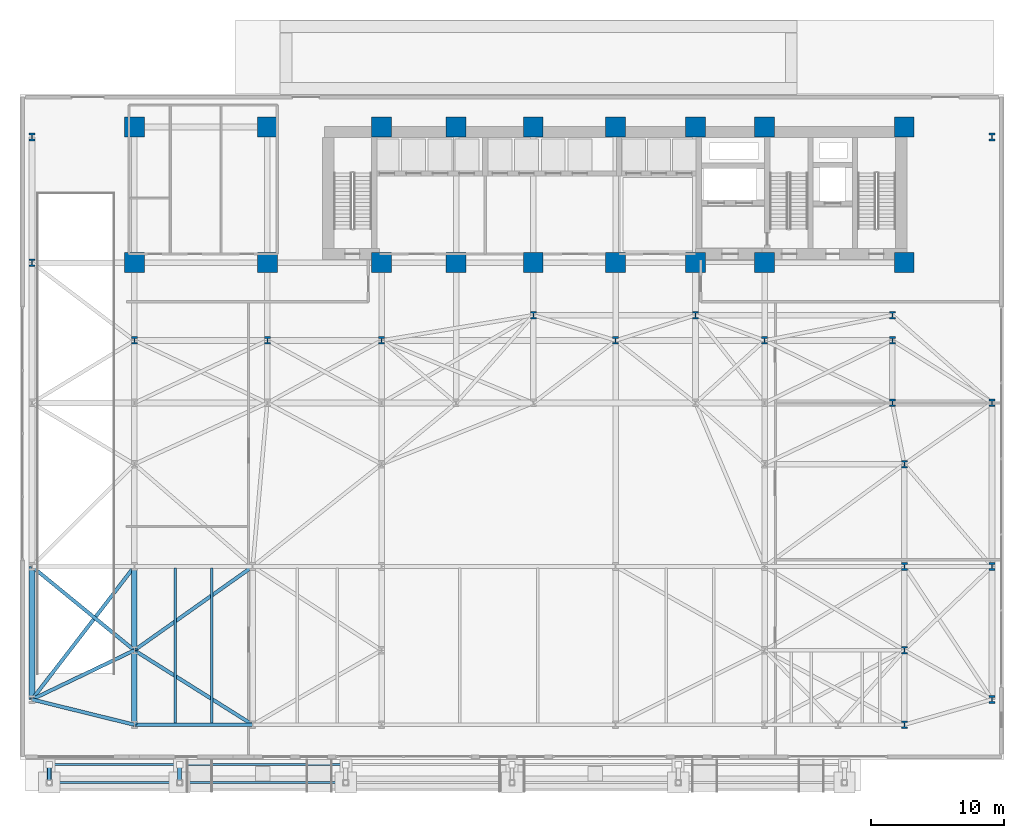
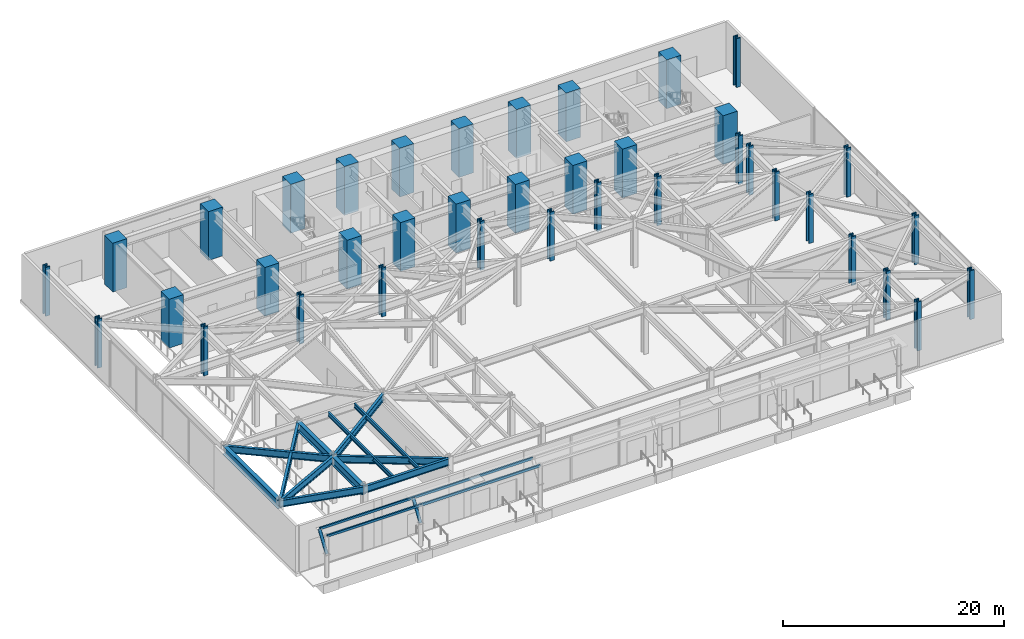
# One storey, part 4 of 31: 38 columns, 12 beams, 6 members.
"""IFC4 building model written with IfcOpenShell, lengths in metres."""

from ifc_helpers import new_model, si_unit, direction, frame, origin, origin_2d, place, context, subcontext, project, spatial, rectangle, hollow_rectangle, hollow_circle, i_section, extrude, material, material_profile, profile_set, type_object, element, save


model = new_model("IFC4")

# Units and contexts
model_context = context("Model", 3, precision=1e-05, world=origin(), true_north=direction((0.0, 1.0)))
body_context = subcontext(model_context, "Body", "Model", "MODEL_VIEW")
ifc_project = project(units=[si_unit("LENGTHUNIT", "METRE"), si_unit("AREAUNIT", "SQUARE_METRE"), si_unit("VOLUMEUNIT", "CUBIC_METRE"), si_unit("PLANEANGLEUNIT", "RADIAN"), si_unit("MASSUNIT", "GRAM", prefix="KILO")], contexts=[model_context])

# Site, building, storey
site_placement = place(None, origin())
site = spatial("IfcSite", under=ifc_project, at=site_placement, CompositionType="ELEMENT")
building_placement = place(site_placement, origin())
building = spatial("IfcBuilding", under=site, at=building_placement, Name="Kravanh Interchange Tower", CompositionType="ELEMENT")
storey_placement = place(building_placement, origin())
storey = spatial("IfcBuildingStorey", under=building, at=storey_placement, Name="L00", CompositionType="ELEMENT", Elevation=0.0)

# Columns
ifc_material_1 = material(Name="Concrete C80/95", Category="concrete")
ifc_material_profile_1 = material_profile(ifc_material_1, rectangle(XDim=1.5, YDim=1.5, at=origin_2d()), Name="RC1500X1500")
ifc_profile_set_1 = profile_set([ifc_material_profile_1], Name="Concrete C80/95")
column_type_1 = type_object("IfcColumnType", Name="Column RC1500X1500 Concrete C80/95", PredefinedType="COLUMN", material=ifc_profile_set_1)
for number, where, z_axis, x_axis, name in (
    (1, (66.5, 47.550048828125, 0.0), (0.0, 0.0, 1.0), (1.0, 0.0, 0.0), "L00 Column CS01"),
    (2, (56.0, 47.550048828125, 0.0), (0.0, 0.0, 1.0), (1.0, 0.0, 0.0), "L00 Column CS02"),
    (3, (66.5, 37.35009765625, 0.0), (0.0, 0.0, 1.0), (1.0, 0.0, 0.0), "L00 Column CS03"),
    (4, (56.0, 37.35009765625, 0.0), (0.0, 0.0, 1.0), (1.0, 0.0, 0.0), "L00 Column CS04"),
    (5, (50.800048828125, 47.550048828125, 0.0), (0.0, 0.0, 1.0), (1.0, 0.0, 0.0), "L00 Column CS05"),
    (6, (50.800048828125, 37.35009765625, 0.0), (0.0, 0.0, 1.0), (1.0, 0.0, 0.0), "L00 Column CS06"),
    (7, (44.800048828125, 37.35009765625, 0.0), (0.0, 0.0, 1.0), (1.0, 0.0, 0.0), "L00 Column CS07"),
    (8, (44.800048828125, 47.550048828125, 0.0), (0.0, 0.0, 1.0), (1.0, 0.0, 0.0), "L00 Column CS08"),
    (9, (38.60009765625, 37.35009765625, 0.0), (0.0, 0.0, 1.0), (1.0, 0.0, 0.0), "L00 Column CS09"),
    (10, (38.60009765625, 47.550048828125, 0.0), (0.0, 0.0, 1.0), (1.0, 0.0, 0.0), "L00 Column CS10"),
    (11, (32.800048828125, 37.35009765625, 0.0), (0.0, 0.0, 1.0), (1.0, 0.0, 0.0), "L00 Column CS11"),
    (12, (32.800048828125, 47.550048828125, 0.0), (0.0, 0.0, 1.0), (1.0, 0.0, 0.0), "L00 Column CS12"),
    (13, (27.199951171875, 37.35009765625, 0.0), (0.0, 0.0, 1.0), (1.0, 0.0, 0.0), "L00 Column CS13"),
    (14, (27.199951171875, 47.550048828125, 0.0), (0.0, 0.0, 1.0), (1.0, 0.0, 0.0), "L00 Column CS14"),
    (15, (18.60009765625, 37.35009765625, 0.0), (0.0, 0.0, 1.0), (1.0, 0.0, 0.0), "L00 Column CS17"),
    (16, (18.60009765625, 47.550048828125, 0.0), (0.0, 0.0, 1.0), (1.0, 0.0, 0.0), "L00 Column CS18"),
    (17, (8.60009765625, 37.35009765625, 0.0), (0.0, 0.0, 1.0), (1.0, 0.0, 0.0), "L00 Column CS23"),
    (18, (8.60009765625, 47.550048828125, 0.0), (0.0, 0.0, 1.0), (1.0, 0.0, 0.0), "L00 Column CS24"),
):
    element("IfcColumn", number, at=place(storey_placement, frame(where, z_axis=z_axis, x_axis=x_axis)), inside=storey, type_object=column_type_1, Name=name, PredefinedType="COLUMN", context=body_context, shape_type="SweptSolid", body=[
        extrude(rectangle(XDim=1.5, YDim=1.5, at=origin_2d()), origin(), (0.0, 0.0, 1.0), 5.39990234375),
    ])
ifc_material_2 = material(Name="Structural Steel S450", Category="steel")
ifc_material_profile_2 = material_profile(ifc_material_2, i_section(OverallWidth=0.4541015625, OverallDepth=0.569091796875, WebThickness=0.077880859375, FlangeThickness=0.124755859375, FilletRadius=0.030029296875, at=origin_2d()), Name="W14X730")
ifc_profile_set_2 = profile_set([ifc_material_profile_2], Name="Structural Steel S450")
column_type_2 = type_object("IfcColumnType", Name="Column W14X730 Structural Steel S450", PredefinedType="COLUMN", material=ifc_profile_set_2)
for number, where, z_axis, x_axis, name in (
    (19, (66.5, 2.60009765625, 0.0), (0.0, 0.0, 1.0), (1.0, 0.0, 0.0), "L00 Column CP06"),
    (20, (66.5, 8.199951171875, 0.0), (0.0, 0.0, 1.0), (1.0, 0.0, 0.0), "L00 Column CP06E"),
    (21, (66.5, 14.5, 0.0), (0.0, 0.0, 1.0), (1.0, 0.0, 0.0), "L00 Column CP12"),
    (22, (66.5, 22.199951171875, 0.0), (0.0, 0.0, 1.0), (1.0, 0.0, 0.0), "L00 Column CP12E"),
    (23, (65.60009765625, 26.800048828125, 0.0), (0.0, 0.0, 1.0), (1.0, 0.0, 0.0), "L00 Column CP19"),
    (24, (8.60009765625, 31.5, 0.0), (0.0, 0.0, 1.0), (1.0, 0.0, 0.0), "L00 Column CP19B"),
    (25, (18.60009765625, 31.5, 0.0), (0.0, 0.0, 1.0), (1.0, 0.0, 0.0), "L00 Column CP20"),
    (26, (27.199951171875, 31.5, 0.0), (0.0, 0.0, 1.0), (1.0, 0.0, 0.0), "L00 Column CP21"),
    (27, (44.800048828125, 31.5, 0.0), (0.0, 0.0, 1.0), (1.0, 0.0, 0.0), "L00 Column CP22"),
    (28, (56.0, 31.5, 0.0), (0.0, 0.0, 1.0), (1.0, 0.0, 0.0), "L00 Column CP23"),
    (29, (65.60009765625, 31.5, 0.0), (0.0, 0.0, 1.0), (1.0, 0.0, 0.0), "L00 Column CP24"),
    (30, (0.89990234375, 37.35009765625, 0.0), (0.0, 0.0, 1.0), (1.0, 0.0, 0.0), "L00 Column CP25D"),
    (31, (0.89990234375, 46.800048828125, 0.0), (0.0, 0.0, 1.0), (1.0, 0.0, 0.0), "L00 Column CP26"),
    (32, (73.10009765625, 4.5, 0.0), (0.0, 0.0, 1.0), (1.0, 0.0, 0.0), "L00 Column CP27"),
    (33, (73.10009765625, 14.5, 0.0), (0.0, 0.0, 1.0), (1.0, 0.0, 0.0), "L00 Column CP27B"),
    (34, (73.10009765625, 26.800048828125, 0.0), (0.0, 0.0, 1.0), (1.0, 0.0, 0.0), "L00 Column CP27C"),
    (35, (73.10009765625, 46.800048828125, 0.0), (0.0, 0.0, 1.0), (1.0, 0.0, 0.0), "L00 Column CP28"),
    (36, (38.60009765625, 33.39990234375, 0.0), (0.0, 0.0, 1.0), (1.0, 0.0, 0.0), "L00 Column CP_M1"),
    (37, (50.800048828125, 33.39990234375, 0.0), (0.0, 0.0, 1.0), (1.0, 0.0, 0.0), "L00 Column CP_M2"),
    (38, (65.60009765625, 33.39990234375, 0.0), (0.0, 0.0, 1.0), (1.0, 0.0, 0.0), "L00 Column CP_M3"),
):
    element("IfcColumn", number, at=place(storey_placement, frame(where, z_axis=z_axis, x_axis=x_axis)), inside=storey, type_object=column_type_2, Name=name, PredefinedType="COLUMN", context=body_context, shape_type="SweptSolid", body=[
        extrude(i_section(OverallWidth=0.4541015625, OverallDepth=0.569091796875, WebThickness=0.077880859375, FlangeThickness=0.124755859375, FilletRadius=0.030029296875, at=origin_2d()), origin(), (0.0, 0.0, 1.0), 5.39990234375),
    ])

# Members
ifc_material_3 = material(Name="Structural Steel S355", Category="steel")
ifc_material_profile_3 = material_profile(ifc_material_3, hollow_circle(Radius=0.162109375, WallThickness=0.011962890625, at=origin_2d()), Name="CHS324X12")
ifc_profile_set_3 = profile_set([ifc_material_profile_3], Name="Structural Steel S355")
member_type_1 = type_object("IfcMemberType", Name="Canopy Raking Strut CHS324X12 Structural Steel S355", PredefinedType="STRUT", material=ifc_profile_set_3)
for number, where, z_axis, x_axis, name in (
    (39, (2.199951171875, -1.75, 2.5), (0.0, 0.564318032466, 0.8255574833), (-1.0, 0.0, 0.0), "Transit Canopy Raking Strut 1"),
    (40, (12.0, -1.75, 2.5), (0.0, 0.564318032466, 0.8255574833), (-1.0, 0.0, 0.0), "Transit Canopy Raking Strut 2"),
):
    element("IfcMember", number, at=place(storey_placement, frame(where, z_axis=z_axis, x_axis=x_axis)), inside=storey, type_object=member_type_1, Name=name, PredefinedType="STRUT", context=body_context, shape_type="SweptSolid", body=[
        extrude(hollow_circle(Radius=0.162109375, WallThickness=0.011962890625, at=origin_2d()), origin(), (0.0, 0.0, 1.0), 2.392333984375),
    ])
ifc_material_4 = material(Name="Structural Steel S355", Category="steel")
ifc_material_profile_4 = material_profile(ifc_material_4, hollow_rectangle(XDim=0.14990234375, YDim=0.25, WallThickness=0.010009765625, at=origin_2d()), Name="HSS250X150X10")
ifc_profile_set_4 = profile_set([ifc_material_profile_4], Name="Structural Steel S355")
member_type_2 = type_object("IfcMemberType", Name="Canopy Roof Purlin HSS250X150X10 Structural Steel S355", PredefinedType="PURLIN", material=ifc_profile_set_4)
for number, where, z_axis, x_axis, name in (
    (41, (2.199951171875, -0.39990234375, 4.47509765625), (1.0, 0.0, 0.0), (0.0, 1.0, 0.0), "Transit Canopy Purlin 1A"),
    (42, (2.199951171875, -1.75, 4.47509765625), (1.0, 0.0, 0.0), (0.0, 1.0, 0.0), "Transit Canopy Purlin 1B"),
):
    element("IfcMember", number, at=place(storey_placement, frame(where, z_axis=z_axis, x_axis=x_axis)), inside=storey, type_object=member_type_2, Name=name, PredefinedType="PURLIN", context=body_context, shape_type="SweptSolid", body=[
        extrude(hollow_rectangle(XDim=0.14990234375, YDim=0.25, WallThickness=0.010009765625, at=origin_2d()), origin(), (0.0, 0.0, 1.0), 9.800048828125),
    ])
for number, where, z_axis, x_axis, name in (
    (43, (12.0, -0.39990234375, 4.47509765625), (1.0, 0.0, 0.0), (0.0, 1.0, 0.0), "Transit Canopy Purlin 2A"),
    (44, (12.0, -1.75, 4.47509765625), (1.0, 0.0, 0.0), (0.0, 1.0, 0.0), "Transit Canopy Purlin 2B"),
):
    element("IfcMember", number, at=place(storey_placement, frame(where, z_axis=z_axis, x_axis=x_axis)), inside=storey, type_object=member_type_2, Name=name, PredefinedType="PURLIN", context=body_context, shape_type="SweptSolid", body=[
        extrude(hollow_rectangle(XDim=0.14990234375, YDim=0.25, WallThickness=0.010009765625, at=origin_2d()), origin(), (0.0, 0.0, 1.0), 12.5),
    ])

# Beams
ifc_material_5 = material(Name="Structural Steel S450", Category="steel")
ifc_material_profile_5 = material_profile(ifc_material_5, i_section(OverallWidth=0.423095703125, OverallDepth=0.947998046875, WebThickness=0.02392578125, FlangeThickness=0.042724609375, FilletRadius=0.028076171875, at=origin_2d()), Name="W36X302")
ifc_profile_set_5 = profile_set([ifc_material_profile_5], Name="Structural Steel S450")
beam_type_1 = type_object("IfcBeamType", Name="Floor Beam W36X302 Structural Steel S450", PredefinedType="BEAM", material=ifc_profile_set_5)
beam_1_placement = place(storey_placement, frame((8.60009765625, 2.60009765625, 4.656005859375), z_axis=(0.0, 1.0, 0.0), x_axis=(-1.0, 0.0, 0.0)))
element("IfcBeam", 45, at=beam_1_placement, inside=storey, type_object=beam_type_1, Name="L00 Primary Floor Girder 1", PredefinedType="BEAM", context=body_context, shape_type="SweptSolid", body=[
    extrude(i_section(OverallWidth=0.423095703125, OverallDepth=0.947998046875, WebThickness=0.02392578125, FlangeThickness=0.042724609375, FilletRadius=0.028076171875, at=origin_2d()), origin(), (0.0, 0.0, 1.0), 5.599853515625),
])
beam_2_placement = place(storey_placement, frame((8.60009765625, 8.199951171875, 4.656005859375), z_axis=(0.0, 1.0, 0.0), x_axis=(-1.0, 0.0, 0.0)))
element("IfcBeam", 46, at=beam_2_placement, inside=storey, type_object=beam_type_1, Name="L00 Primary Floor Girder 23", PredefinedType="BEAM", context=body_context, shape_type="SweptSolid", body=[
    extrude(i_section(OverallWidth=0.423095703125, OverallDepth=0.947998046875, WebThickness=0.02392578125, FlangeThickness=0.042724609375, FilletRadius=0.028076171875, at=origin_2d()), origin(), (0.0, 0.0, 1.0), 6.300048828125),
])
beam_3_placement = place(storey_placement, frame((0.89990234375, 4.5, 4.656005859375), z_axis=(0.0, 1.0, 0.0), x_axis=(-1.0, 0.0, 0.0)))
element("IfcBeam", 47, at=beam_3_placement, inside=storey, type_object=beam_type_1, Name="L00 Primary Floor Girder 122", PredefinedType="BEAM", context=body_context, shape_type="SweptSolid", body=[
    extrude(i_section(OverallWidth=0.423095703125, OverallDepth=0.947998046875, WebThickness=0.02392578125, FlangeThickness=0.042724609375, FilletRadius=0.028076171875, at=origin_2d()), origin(), (0.0, 0.0, 1.0), 10.0),
])
ifc_material_6 = material(Name="Structural Steel S355", Category="steel")
ifc_material_profile_6 = material_profile(ifc_material_6, i_section(OverallWidth=0.18994140625, OverallDepth=0.45703125, WebThickness=0.009033203125, FlangeThickness=0.014404296875, FilletRadius=0.01806640625, at=origin_2d()), Name="W18X50")
ifc_profile_set_6 = profile_set([ifc_material_profile_6], Name="Structural Steel S355")
beam_type_2 = type_object("IfcBeamType", Name="Floor Joist W18X50 Structural Steel S355", PredefinedType="JOIST", material=ifc_profile_set_6)
for number, where, z_axis, x_axis, name in (
    (48, (11.681884765625, 2.728515625, 4.901611328125), (0.0, 1.0, 0.0), (-1.0, 0.0, 0.0), "L00 Secondary Floor Joist 1"),
    (49, (14.41796875, 2.728515625, 4.901611328125), (0.0, 1.0, 0.0), (-1.0, 0.0, 0.0), "L00 Secondary Floor Joist 2"),
):
    element("IfcBeam", number, at=place(storey_placement, frame(where, z_axis=z_axis, x_axis=x_axis)), inside=storey, type_object=beam_type_2, Name=name, PredefinedType="JOIST", context=body_context, shape_type="SweptSolid", body=[
        extrude(i_section(OverallWidth=0.18994140625, OverallDepth=0.45703125, WebThickness=0.009033203125, FlangeThickness=0.014404296875, FilletRadius=0.01806640625, at=origin_2d()), origin(), (0.0, 0.0, 1.0), 11.64306640625),
    ])
ifc_material_7 = material(Name="Structural Steel S355", Category="steel")
ifc_material_profile_7 = material_profile(ifc_material_7, i_section(OverallWidth=0.26708984375, OverallDepth=0.761962890625, WebThickness=0.014404296875, FlangeThickness=0.021484375, FilletRadius=0.02490234375, at=origin_2d()), Name="W30X116")
ifc_profile_set_7 = profile_set([ifc_material_profile_7], Name="Structural Steel S355")
beam_type_3 = type_object("IfcBeamType", Name="Floor Spandrel W30X116 Structural Steel S355", PredefinedType="SPANDREL", material=ifc_profile_set_7)
beam_4_placement = place(storey_placement, frame((8.60009765625, 2.60009765625, 4.7490234375), z_axis=(-0.970883936595, 0.239550373956, 0.0), x_axis=(-0.239550373956, -0.970883936595, 0.0)))
element("IfcBeam", 50, at=beam_4_placement, inside=storey, type_object=beam_type_3, Name="L00 Perimeter Spandrel 2", PredefinedType="SPANDREL", context=body_context, shape_type="SweptSolid", body=[
    extrude(i_section(OverallWidth=0.26708984375, OverallDepth=0.761962890625, WebThickness=0.014404296875, FlangeThickness=0.021484375, FilletRadius=0.02490234375, at=origin_2d()), origin(), (0.0, 0.0, 1.0), 7.93115234375),
])
beam_5_placement = place(storey_placement, frame((8.60009765625, 2.60009765625, 4.7490234375), z_axis=(1.0, 0.0, 0.0), x_axis=(0.0, 1.0, 0.0)))
element("IfcBeam", 51, at=beam_5_placement, inside=storey, type_object=beam_type_3, Name="L00 Perimeter Spandrel 3", PredefinedType="SPANDREL", context=body_context, shape_type="SweptSolid", body=[
    extrude(i_section(OverallWidth=0.26708984375, OverallDepth=0.761962890625, WebThickness=0.014404296875, FlangeThickness=0.021484375, FilletRadius=0.02490234375, at=origin_2d()), origin(), (0.0, 0.0, 1.0), 8.89990234375),
])
beam_6_placement = place(storey_placement, frame((17.5, 2.60009765625, 4.7490234375), z_axis=(-0.846395259538, 0.532555222143, 0.0), x_axis=(-0.532555222143, -0.846395259538, 0.0)))
element("IfcBeam", 52, at=beam_6_placement, inside=storey, type_object=beam_type_3, Name="L00 Perimeter Spandrel 5", PredefinedType="SPANDREL", context=body_context, shape_type="SweptSolid", body=[
    extrude(i_section(OverallWidth=0.26708984375, OverallDepth=0.761962890625, WebThickness=0.014404296875, FlangeThickness=0.021484375, FilletRadius=0.02490234375, at=origin_2d()), origin(), (0.0, 0.0, 1.0), 10.51513671875),
])
beam_7_placement = place(storey_placement, frame((8.60009765625, 8.199951171875, 4.7490234375), z_axis=(-0.901346832937, -0.433098010563, 0.0), x_axis=(0.433098010563, -0.901346832937, 0.0)))
element("IfcBeam", 53, at=beam_7_placement, inside=storey, type_object=beam_type_3, Name="L00 Perimeter Spandrel 24", PredefinedType="SPANDREL", context=body_context, shape_type="SweptSolid", body=[
    extrude(i_section(OverallWidth=0.26708984375, OverallDepth=0.761962890625, WebThickness=0.014404296875, FlangeThickness=0.021484375, FilletRadius=0.02490234375, at=origin_2d()), origin(), (0.0, 0.0, 1.0), 8.54296875),
])
beam_8_placement = place(storey_placement, frame((8.60009765625, 8.199951171875, 4.7490234375), z_axis=(-0.773962765803, 0.633231108799, 0.0), x_axis=(-0.633231108799, -0.773962765803, 0.0)))
element("IfcBeam", 54, at=beam_8_placement, inside=storey, type_object=beam_type_3, Name="L00 Perimeter Spandrel 25", PredefinedType="SPANDREL", context=body_context, shape_type="SweptSolid", body=[
    extrude(i_section(OverallWidth=0.26708984375, OverallDepth=0.761962890625, WebThickness=0.014404296875, FlangeThickness=0.021484375, FilletRadius=0.02490234375, at=origin_2d()), origin(), (0.0, 0.0, 1.0), 9.948974609375),
])
beam_9_placement = place(storey_placement, frame((8.60009765625, 8.199951171875, 4.7490234375), z_axis=(0.816199576272, 0.577770068187, 0.0), x_axis=(-0.577770068187, 0.816199576272, 0.0)))
element("IfcBeam", 55, at=beam_9_placement, inside=storey, type_object=beam_type_3, Name="L00 Perimeter Spandrel 26", PredefinedType="SPANDREL", context=body_context, shape_type="SweptSolid", body=[
    extrude(i_section(OverallWidth=0.26708984375, OverallDepth=0.761962890625, WebThickness=0.014404296875, FlangeThickness=0.021484375, FilletRadius=0.02490234375, at=origin_2d()), origin(), (0.0, 0.0, 1.0), 10.904052734375),
])
beam_10_placement = place(storey_placement, frame((8.60009765625, 14.5, 4.7490234375), z_axis=(-0.610103314761, -0.792321869771, 0.0), x_axis=(0.792321869771, -0.610103314761, 0.0)))
element("IfcBeam", 56, at=beam_10_placement, inside=storey, type_object=beam_type_3, Name="L00 Perimeter Spandrel 40", PredefinedType="SPANDREL", context=body_context, shape_type="SweptSolid", body=[
    extrude(i_section(OverallWidth=0.26708984375, OverallDepth=0.761962890625, WebThickness=0.014404296875, FlangeThickness=0.021484375, FilletRadius=0.02490234375, at=origin_2d()), origin(), (0.0, 0.0, 1.0), 12.62109375),
])

save(model, "model.ifc")
